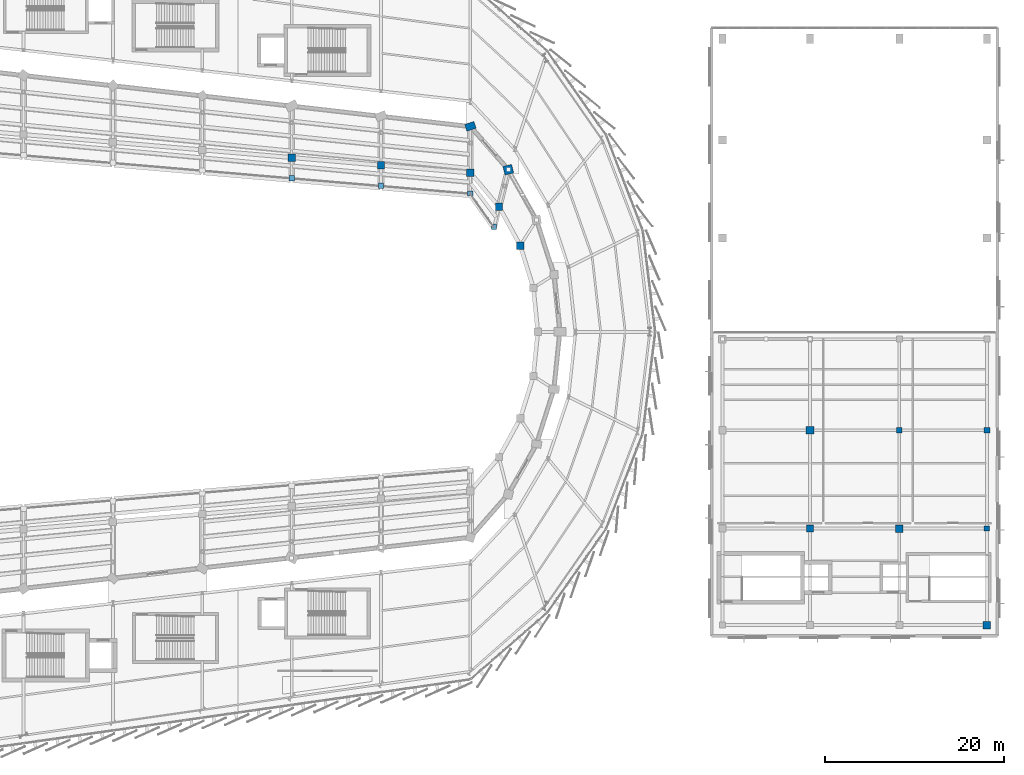
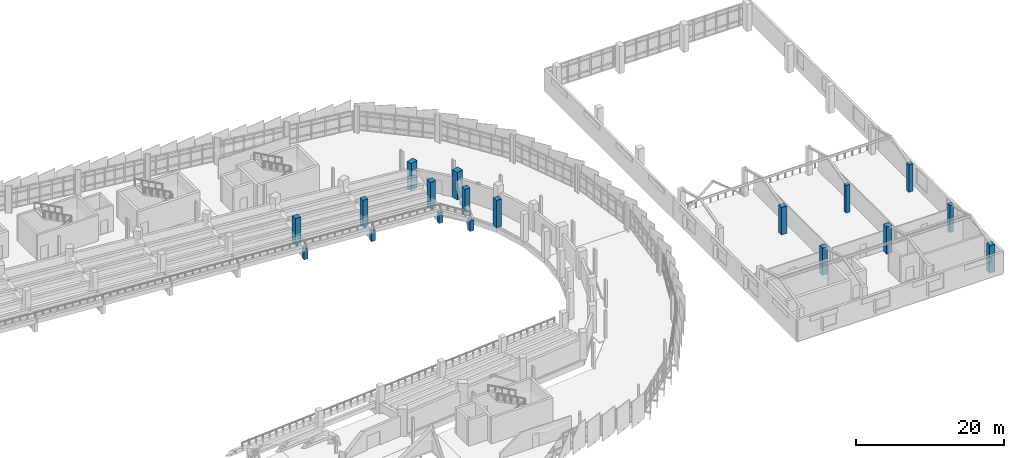
# One storey, part 20 of 120: 18 columns.
"""IFC4 building model written with IfcOpenShell, lengths in metres."""

from ifc_helpers import new_model, si_unit, direction, frame, origin, origin_2d, place, context, subcontext, project, spatial, rectangle, extrude, material, material_profile, profile_set, type_object, element, save


model = new_model("IFC4")

# Units and contexts
model_context = context("Model", 3, precision=1e-05, world=origin(), true_north=direction((0.0, 1.0)))
body_context = subcontext(model_context, "Body", "Model", "MODEL_VIEW")
ifc_project = project(units=[si_unit("LENGTHUNIT", "METRE"), si_unit("AREAUNIT", "SQUARE_METRE"), si_unit("VOLUMEUNIT", "CUBIC_METRE"), si_unit("PLANEANGLEUNIT", "RADIAN"), si_unit("MASSUNIT", "GRAM", prefix="KILO")], contexts=[model_context])

# Site, building, storey
site_placement = place(None, origin())
site = spatial("IfcSite", under=ifc_project, at=site_placement, CompositionType="ELEMENT")
building_placement = place(site_placement, origin())
building = spatial("IfcBuilding", under=site, at=building_placement, Name="Sohan Crest Arena", CompositionType="ELEMENT")
storey_placement = place(building_placement, frame((0.0, 0.0, 13.5)))
storey = spatial("IfcBuildingStorey", under=building, at=storey_placement, Name="L03", CompositionType="ELEMENT", Elevation=13.5)

# Columns
ifc_material = material(Name="Concrete C40/50", Category="concrete")
ifc_material_profile_1 = material_profile(ifc_material, rectangle(XDim=0.60009765625, YDim=0.60009765625, at=origin_2d()), Name="RC 600x600")
ifc_profile_set_1 = profile_set([ifc_material_profile_1], Name="Concrete C40/50")
column_type_1 = type_object("IfcColumnType", Name="STR-COL-C01", PredefinedType="COLUMN", material=ifc_profile_set_1)
for number, where, z_axis, x_axis, name in (
    (1, (216.0, 67.0, 0.0), (0.0, 0.0, 1.0), (1.0, 0.0, 0.0), "Structural column COL-V4S-33-L03"),
    (2, (225.800048828125, 56.0, 0.0), (0.0, 0.0, 1.0), (1.0, 0.0, 0.0), "Structural column COL-V4S-42-L03"),
):
    element("IfcColumn", number, at=place(storey_placement, frame(where, z_axis=z_axis, x_axis=x_axis)), inside=storey, type_object=column_type_1, Name=name, PredefinedType="COLUMN", context=body_context, shape_type="SweptSolid", body=[
        extrude(rectangle(XDim=0.60009765625, YDim=0.60009765625, at=origin_2d()), origin(), (0.0, 0.0, 1.0), 4.5),
    ])
for number, where, z_axis, x_axis, name in (
    (3, (170.64794921875, 89.778076171875, -1.0), (0.0, 0.0, 1.0), (1.0, 0.0, 0.0), "Upper tier nose support column RKP-N27"),
    (4, (168.0, 93.5, -1.0), (0.0, 0.0, 1.0), (1.0, 0.0, 0.0), "Upper tier nose support column RKP-N28"),
    (5, (158.0, 94.35693359375, -1.0), (0.0, 0.0, 1.0), (1.0, 0.0, 0.0), "Upper tier nose support column RKP-N29"),
    (6, (148.0, 95.214111328125, -1.0), (0.0, 0.0, 1.0), (1.0, 0.0, 0.0), "Upper tier nose support column RKP-N30"),
):
    element("IfcColumn", number, at=place(storey_placement, frame(where, z_axis=z_axis, x_axis=x_axis)), inside=storey, type_object=column_type_1, Name=name, PredefinedType="COLUMN", context=body_context, shape_type="SweptSolid", body=[
        extrude(rectangle(XDim=0.60009765625, YDim=0.60009765625, at=origin_2d()), origin(), (0.0, 0.0, 1.0), 1.75),
    ])
ifc_material_profile_2 = material_profile(ifc_material, rectangle(XDim=0.64990234375, YDim=0.64990234375, at=origin_2d()), Name="RC 650x650")
ifc_profile_set_2 = profile_set([ifc_material_profile_2], Name="Concrete C40/50")
column_type_2 = type_object("IfcColumnType", Name="STR-COL-C02", PredefinedType="COLUMN", material=ifc_profile_set_2)
column_1_placement = place(storey_placement, frame((225.800048828125, 67.0, 0.0), z_axis=(0.0, 0.0, 1.0), x_axis=(1.0, 0.0, 0.0)))
element("IfcColumn", 7, at=column_1_placement, inside=storey, type_object=column_type_2, Name="Structural column COL-V4S-43-L03", PredefinedType="COLUMN", context=body_context, shape_type="SweptSolid", body=[
    extrude(rectangle(XDim=0.64990234375, YDim=0.64990234375, at=origin_2d()), origin(), (0.0, 0.0, 1.0), 4.5),
])
ifc_material_profile_3 = material_profile(ifc_material, rectangle(XDim=0.800048828125, YDim=0.800048828125, at=origin_2d()), Name="RC 800x800")
ifc_profile_set_3 = profile_set([ifc_material_profile_3], Name="Concrete C40/50")
column_type_3 = type_object("IfcColumnType", Name="STR-COL-C05", PredefinedType="COLUMN", material=ifc_profile_set_3)
for number, where, z_axis, x_axis, name in (
    (8, (171.194091796875, 92.011962890625, 0.0), (0.0, 0.0, 1.0), (1.0, 0.0, 0.0), "Structural column COL-V1M-27-L03"),
    (9, (158.0, 96.656982421875, 0.0), (0.0, 0.0, 1.0), (1.0, 0.0, 0.0), "Structural column COL-V1M-29-L03"),
    (10, (206.0, 56.0, 0.0), (0.0, 0.0, 1.0), (1.0, 0.0, 0.0), "Structural column COL-V4S-22-L03"),
):
    element("IfcColumn", number, at=place(storey_placement, frame(where, z_axis=z_axis, x_axis=x_axis)), inside=storey, type_object=column_type_3, Name=name, PredefinedType="COLUMN", context=body_context, shape_type="SweptSolid", body=[
        extrude(rectangle(XDim=0.800048828125, YDim=0.800048828125, at=origin_2d()), origin(), (0.0, 0.0, 1.0), 4.5),
    ])
ifc_material_profile_4 = material_profile(ifc_material, rectangle(XDim=0.85009765625, YDim=0.85009765625, at=origin_2d()), Name="RC 850x850")
ifc_profile_set_4 = profile_set([ifc_material_profile_4], Name="Concrete C40/50")
column_type_4 = type_object("IfcColumnType", Name="STR-COL-C06", PredefinedType="COLUMN", material=ifc_profile_set_4)
for number, where, z_axis, x_axis, name in (
    (11, (173.571044921875, 87.6640625, 0.0), (0.0, 0.0, 1.0), (1.0, 0.0, 0.0), "Structural column COL-V1M-26-L03"),
    (12, (168.0, 95.800048828125, 0.0), (0.0, 0.0, 1.0), (1.0, 0.0, 0.0), "Structural column COL-V1M-28-L03"),
    (13, (148.0, 97.513916015625, 0.0), (0.0, 0.0, 1.0), (1.0, 0.0, 0.0), "Structural column COL-V1M-30-L03"),
    (14, (206.0, 67.0, 0.0), (0.0, 0.0, 1.0), (1.0, 0.0, 0.0), "Structural column COL-V4S-23-L03"),
    (15, (216.0, 56.0, 0.0), (0.0, 0.0, 1.0), (1.0, 0.0, 0.0), "Structural column COL-V4S-32-L03"),
    (16, (225.800048828125, 45.199951171875, 0.0), (0.0, 0.0, 1.0), (1.0, 0.0, 0.0), "Structural column COL-V4S-41-L03"),
):
    element("IfcColumn", number, at=place(storey_placement, frame(where, z_axis=z_axis, x_axis=x_axis)), inside=storey, type_object=column_type_4, Name=name, PredefinedType="COLUMN", context=body_context, shape_type="SweptSolid", body=[
        extrude(rectangle(XDim=0.85009765625, YDim=0.85009765625, at=origin_2d()), origin(), (0.0, 0.0, 1.0), 4.5),
    ])
ifc_material_profile_5 = material_profile(ifc_material, rectangle(XDim=1.0, YDim=1.0, at=origin_2d()), Name="RC 1000x1000")
ifc_profile_set_5 = profile_set([ifc_material_profile_5], Name="Concrete C40/50")
column_type_5 = type_object("IfcColumnType", Name="STR-COL-C09", PredefinedType="COLUMN", material=ifc_profile_set_5)
column_2_placement = place(storey_placement, frame((172.242919921875, 96.154052734375, 0.0), z_axis=(0.0, 0.0, 1.0), x_axis=(0.971549119998, 0.236838146066, 0.0)))
element("IfcColumn", 17, at=column_2_placement, inside=storey, type_object=column_type_5, Name="Structural column COL-V1R-27-L03", PredefinedType="COLUMN", context=body_context, shape_type="SweptSolid", body=[
    extrude(rectangle(XDim=1.0, YDim=1.0, at=origin_2d()), origin(), (0.0, 0.0, 1.0), 4.5),
])
ifc_material_profile_6 = material_profile(ifc_material, rectangle(XDim=1.10009765625, YDim=0.800048828125, at=origin_2d()), Name="RC 1100x800")
ifc_profile_set_6 = profile_set([ifc_material_profile_6], Name="Concrete C40/50")
column_type_6 = type_object("IfcColumnType", Name="STR-COL-C10", PredefinedType="COLUMN", material=ifc_profile_set_6)
column_3_placement = place(storey_placement, frame((168.0, 101.0, 0.0), z_axis=(0.0, 0.0, 1.0), x_axis=(0.949972051525, 0.312334918512, 0.0)))
element("IfcColumn", 18, at=column_3_placement, inside=storey, type_object=column_type_6, Name="Structural column COL-V1R-28-L03", PredefinedType="COLUMN", context=body_context, shape_type="SweptSolid", body=[
    extrude(rectangle(XDim=1.10009765625, YDim=0.800048828125, at=origin_2d()), origin(), (0.0, 0.0, 1.0), 4.5),
])

save(model, "model.ifc")
